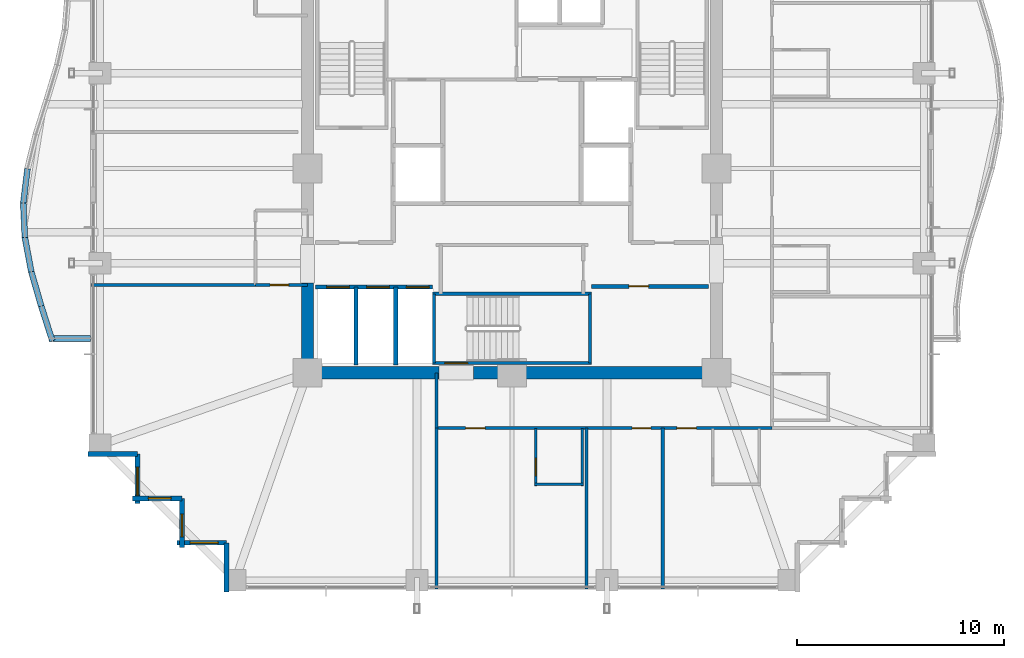
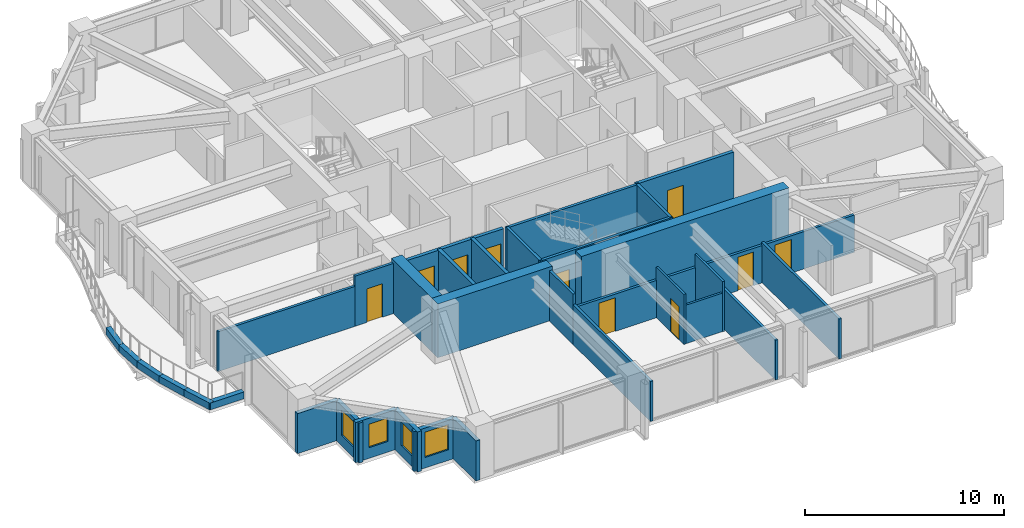
# One storey, part 31 of 37: 33 walls, 10 doors, 4 windows, 14 openings.
"""IFC4 building model written with IfcOpenShell, lengths in metres."""

import ifcopenshell
import ifcopenshell.guid

model = None  # the IFC model being written
_history = None  # IfcOwnerHistory: only IFC2X3 demands one
_inside = {}  # id of a spatial element -> (the spatial element, [elements in it])
_under = {}  # id of a project, library or spatial element -> (it, [spatial elements below it])
_declared = {}  # id of a project -> (the project, [libraries it declares])
_typed = {}  # id of a type object -> (the type object, [elements of that type])
_made_of = {}  # id of a material, layer set ... -> (it, [elements and type objects made of it])


def new_model(schema):
    """Start an empty IFC model of exactly this schema.

    Asked for "IFC4X3", IfcOpenShell would pick the latest addendum, in which some entities
    have other attributes; the version numbers below select the first issue.
    IFC2X3 requires an IfcOwnerHistory on every rooted entity: one is made here for all.
    """
    global model, _history
    if schema == "IFC4X3":
        model = ifcopenshell.file(schema_version=(4, 3, 0, 0))
    else:
        model = ifcopenshell.file(schema=schema)
    _inside.clear()
    _under.clear()
    _declared.clear()
    _typed.clear()
    _made_of.clear()
    _history = None
    if model.schema == "IFC2X3":
        org = make("IfcOrganization", Name="unknown")
        user = make(
            "IfcPersonAndOrganization",
            ThePerson=make("IfcPerson", FamilyName="unknown"),
            TheOrganization=org,
        )
        app = make(
            "IfcApplication",
            ApplicationDeveloper=org,
            Version="unknown",
            ApplicationFullName="unknown",
            ApplicationIdentifier="unknown",
        )
        _history = make(
            "IfcOwnerHistory",
            OwningUser=user,
            OwningApplication=app,
            ChangeAction="ADDED",
            CreationDate=0,
        )
    return model


def make(cls, **values):
    """One entity of the class cls with the attributes given. An attribute that is None is left unset."""
    return model.create_entity(
        cls, **{name: value for name, value in values.items() if value is not None}
    )


def rooted(cls, **values):
    """An entity with a GlobalId (a new one), such as an element, a storey or a relation."""
    return make(cls, GlobalId=ifcopenshell.guid.new(), OwnerHistory=_history, **values)


def si_unit(unit_type, name, prefix=None):
    """IfcSIUnit, for example si_unit("LENGTHUNIT", "METRE", prefix="MILLI")."""
    return make("IfcSIUnit", UnitType=unit_type, Prefix=prefix, Name=name)


def assignment(units):
    """IfcUnitAssignment: the units of a project."""
    return None if units is None else make("IfcUnitAssignment", Units=units)


def point(xyz):
    """IfcCartesianPoint."""
    return None if xyz is None else make("IfcCartesianPoint", Coordinates=xyz)


def direction(xyz):
    """IfcDirection."""
    return None if xyz is None else make("IfcDirection", DirectionRatios=xyz)


def frame(location, z_axis=None, x_axis=None):
    """IfcAxis2Placement3D, a coordinate frame: its origin and axes. An axis left out is left unset."""
    return make(
        "IfcAxis2Placement3D",
        Location=point(location),
        Axis=direction(z_axis),
        RefDirection=direction(x_axis),
    )


def frame_2d(location, x_axis=None):
    """IfcAxis2Placement2D, a coordinate frame in the plane: its origin and x axis."""
    return make(
        "IfcAxis2Placement2D", Location=point(location), RefDirection=direction(x_axis)
    )


def origin():
    """The frame at (0, 0, 0) with its axes left unset."""
    return frame((0.0, 0.0, 0.0))


def place(relative_to, where):
    """IfcLocalPlacement: puts the frame where relative to a parent placement (None: the world)."""
    return make(
        "IfcLocalPlacement", PlacementRelTo=relative_to, RelativePlacement=where
    )


def context(
    kind, dimensions, precision=None, world=None, true_north=None, identifier=None
):
    """IfcGeometricRepresentationContext, for example the 3D "Model" context."""
    return make(
        "IfcGeometricRepresentationContext",
        ContextIdentifier=identifier,
        ContextType=kind,
        CoordinateSpaceDimension=dimensions,
        Precision=precision,
        WorldCoordinateSystem=world,
        TrueNorth=true_north,
    )


def subcontext(parent, identifier, kind, view, scale=None):
    """IfcGeometricRepresentationSubContext, for example "Body" below "Model"."""
    return make(
        "IfcGeometricRepresentationSubContext",
        ContextIdentifier=identifier,
        ContextType=kind,
        ParentContext=parent,
        TargetScale=scale,
        TargetView=view,
    )


def project(units=None, contexts=None):
    """IfcProject with its units and contexts."""
    return rooted(
        "IfcProject",
        Name="project",
        RepresentationContexts=contexts,
        UnitsInContext=assignment(units),
    )


def spatial(cls, under=None, at=None, **own):
    """A site, building, storey or space (cls), placed at a placement, below another one or the project."""
    s = rooted(cls, ObjectPlacement=at, **own)
    if under is not None:
        _under.setdefault(under.id(), (under, []))[1].append(s)
    return s


def profile(cls, at=None, kind="AREA", **sizes):
    """A parametric profile (cls). Its sizes go by their IFC names, for example OverallWidth=200.0."""
    return make(cls, ProfileType=kind, Position=at, **sizes)


def rectangle(**sizes):
    """IfcRectangleProfileDef."""
    return profile("IfcRectangleProfileDef", **sizes)


def extrude(swept, where, along, depth):
    """IfcExtrudedAreaSolid: the profile swept, set in the frame where, extruded along a direction by depth."""
    return make(
        "IfcExtrudedAreaSolid",
        SweptArea=swept,
        Position=where,
        ExtrudedDirection=direction(along),
        Depth=depth,
    )


def shape(context_of_items, identifier, shape_type, items):
    """IfcShapeRepresentation: the items that make up one representation, for example the "Body"."""
    return make(
        "IfcShapeRepresentation",
        ContextOfItems=context_of_items,
        RepresentationIdentifier=identifier,
        RepresentationType=shape_type,
        Items=items,
    )


def material(Name=None, Category=None):
    """IfcMaterial."""
    return make("IfcMaterial", Name=Name, Category=Category)


def layer(
    of_material, thickness, ventilated=None, Name=None, Category=None, Priority=None
):
    """IfcMaterialLayer: one layer of a wall or slab, of a material (None: an air gap)."""
    return make(
        "IfcMaterialLayer",
        Material=of_material,
        LayerThickness=thickness,
        IsVentilated=ventilated,
        Name=Name,
        Category=Category,
        Priority=Priority,
    )


def layer_set(layers, Name=None):
    """IfcMaterialLayerSet."""
    return make("IfcMaterialLayerSet", MaterialLayers=layers, LayerSetName=Name)


def made_of(thing, what):
    """Note that an element or type object is made of a material, layer set ...; save() writes the relation."""
    if what is not None:
        _made_of.setdefault(what.id(), (what, []))[1].append(thing)
    return thing


def type_object(cls, material=None, **own):
    """A type object (cls), such as IfcWallType, which elements share."""
    return made_of(rooted(cls, **own), material)


def element(
    cls,
    number,
    at=None,
    inside=None,
    cuts=None,
    type_object=None,
    material=None,
    context=None,
    identifier="Body",
    shape_type=None,
    held_by="IfcProductDefinitionShape",
    body=None,
    shapes=None,
    **own,
):
    """One element of the class cls, such as IfcWall. Its Tag is "e" and its number.

    at: its placement. inside: the storey or other place that contains it. cuts: it is an
    opening in that element (IfcRelVoidsElement). A single representation is given by context,
    identifier, shape_type and body (its items); several are given by shapes. held_by: the class
    of the entity that holds the representations. save() writes the other relations.
    """
    e = rooted(cls, Tag="e%d" % number, ObjectPlacement=at, **own)
    if body is not None:
        shapes = [shape(context, identifier, shape_type, body)]
    if shapes is not None:
        e.Representation = make(held_by, Representations=shapes)
    if inside is not None:
        _inside.setdefault(inside.id(), (inside, []))[1].append(e)
    if cuts is not None:
        rooted(
            "IfcRelVoidsElement", RelatingBuildingElement=cuts, RelatedOpeningElement=e
        )
    if type_object is not None:
        _typed.setdefault(type_object.id(), (type_object, []))[1].append(e)
    return made_of(e, material)


def fill(opening, filler):
    """IfcRelFillsElement: the door or window that sits in an opening."""
    return rooted(
        "IfcRelFillsElement",
        RelatingOpeningElement=opening,
        RelatedBuildingElement=filler,
    )


def aggregate(whole, parts):
    """IfcRelAggregates: a whole, such as a stair, and the parts it consists of."""
    return rooted("IfcRelAggregates", RelatingObject=whole, RelatedObjects=parts)


def save(model, path):
    """Write the relations noted so far, then the file.

    IfcRelAggregates (storeys below a building ...), IfcRelContainedInSpatialStructure (elements
    in a storey), IfcRelDefinesByType, IfcRelAssociatesMaterial and IfcRelDeclares: one each for
    every whole, place, type object, material and project.
    """
    for whole, parts in _under.values():
        aggregate(whole, parts)
    for where, things in _inside.values():
        rooted(
            "IfcRelContainedInSpatialStructure",
            RelatedElements=things,
            RelatingStructure=where,
        )
    for kind, things in _typed.values():
        rooted("IfcRelDefinesByType", RelatedObjects=things, RelatingType=kind)
    for what, things in _made_of.values():
        rooted("IfcRelAssociatesMaterial", RelatedObjects=things, RelatingMaterial=what)
    for by, libraries in _declared.values():
        rooted("IfcRelDeclares", RelatingContext=by, RelatedDefinitions=libraries)
    model.write(path)


model = new_model("IFC4")

# Units and contexts
model_context = context("Model", 3, precision=1e-05, world=origin(), true_north=direction((0.0, 1.0)))
body_context = subcontext(model_context, "Body", "Model", "MODEL_VIEW")
ifc_project = project(units=[si_unit("LENGTHUNIT", "METRE"), si_unit("AREAUNIT", "SQUARE_METRE"), si_unit("VOLUMEUNIT", "CUBIC_METRE"), si_unit("PLANEANGLEUNIT", "RADIAN"), si_unit("MASSUNIT", "GRAM", prefix="KILO")], contexts=[model_context])

# Site, building, storey
site_placement = place(None, origin())
site = spatial("IfcSite", under=ifc_project, at=site_placement, CompositionType="ELEMENT")
building_placement = place(site_placement, origin())
building = spatial("IfcBuilding", under=site, at=building_placement, Name="Kolvaren Belvedere", CompositionType="ELEMENT")
storey_placement = place(building_placement, frame((0.0, 0.0, 75.5)))
storey = spatial("IfcBuildingStorey", under=building, at=storey_placement, Name="L21", CompositionType="ELEMENT", Elevation=75.5)

# Walls
ifc_material_1 = material(Name="Concrete C60/75", Category="concrete")
ifc_layer_1 = layer(ifc_material_1, 0.60009765625)
ifc_layer_set_1 = layer_set([ifc_layer_1], Name="Concrete C60/75")
wall_type_1 = type_object("IfcWallType", Name="CW-CORE-600", PredefinedType="SHEAR", material=ifc_layer_set_1)
wall_1_placement = place(storey_placement, frame((10.199951171875, -9.89990234375, 0.0), z_axis=(0.0, 0.0, 1.0), x_axis=(-1.0, 0.0, 0.0)))
element("IfcWall", 1, at=wall_1_placement, inside=storey, type_object=wall_type_1, Name="L21 South Core Shear Wall 1", PredefinedType="SHEAR", context=body_context, shape_type="SweptSolid", body=[
    extrude(rectangle(XDim=12.06005859375, YDim=0.60009765625, at=frame_2d((6.030029296875, 0.0))), origin(), (0.0, 0.0, 1.0), 3.300048828125),
])
wall_2_placement = place(storey_placement, frame((-3.5400390625, -9.89990234375, 0.0), z_axis=(0.0, 0.0, 1.0), x_axis=(-1.0, 0.0, 0.0)))
element("IfcWall", 2, at=wall_2_placement, inside=storey, type_object=wall_type_1, Name="L21 South Core Shear Wall 2", PredefinedType="SHEAR", context=body_context, shape_type="SweptSolid", body=[
    extrude(rectangle(XDim=6.659912109375, YDim=0.60009765625, at=frame_2d((3.330078125, 0.0))), origin(), (0.0, 0.0, 1.0), 3.300048828125),
])
wall_3_placement = place(storey_placement, frame((-9.89990234375, -9.60009765625, 0.0), z_axis=(0.0, 0.0, 1.0), x_axis=(0.0, 1.0, 0.0)))
element("IfcWall", 3, at=wall_3_placement, inside=storey, type_object=wall_type_1, Name="L21 West Core Shear Wall 1", PredefinedType="SHEAR", context=body_context, shape_type="SweptSolid", body=[
    extrude(rectangle(XDim=4.050048828125, YDim=0.60009765625, at=frame_2d((2.02490234375, 0.0))), origin(), (0.0, 0.0, 1.0), 3.300048828125),
])

# Wall, opening, door
ifc_material_2 = material(Name="Concrete C50/60", Category="concrete")
ifc_layer_2 = layer(ifc_material_2, 0.159912109375)
ifc_layer_set_2 = layer_set([ifc_layer_2], Name="Concrete C50/60")
wall_type_2 = type_object("IfcWallType", Name="CW-STAIR-160", PredefinedType="SHEAR", material=ifc_layer_set_2)
wall_4_placement = place(storey_placement, frame((3.860107421875, -9.429931640625, 0.0), z_axis=(0.0, 0.0, 1.0), x_axis=(-1.0, 0.0, 0.0)))
wall_4 = element("IfcWall", 4, at=wall_4_placement, inside=storey, type_object=wall_type_2, Name="L21 Stair ST-3 South Shear Wall", PredefinedType="SHEAR", context=body_context, shape_type="SweptSolid", body=[
    extrude(rectangle(XDim=7.72021484375, YDim=0.159912109375, at=frame_2d((3.860107421875, 0.0))), origin(), (0.0, 0.0, 1.0), 3.300048828125),
])
opening_1_placement = place(wall_4_placement, frame((6.010009765625, 0.0, 0.0)))
opening_1 = element("IfcOpeningElement", 5, at=opening_1_placement, cuts=wall_4, Name="Opening D-FD90", PredefinedType="OPENING", context=body_context, shape_type="SweptSolid", body=[
    extrude(rectangle(XDim=1.10009765625, YDim=2.199951171875, at=frame_2d((0.550048828125, 1.10009765625))), frame((0.0, 0.08984375, 0.0), z_axis=(0.0, -1.0, 0.0), x_axis=(1.0, 0.0, 0.0)), (0.0, 0.0, 1.0), 0.179931640625),
])
ifc_material_3 = material(Name="Painted hollow stainless steel", Category="steel")
door_type_1 = type_object("IfcDoorType", Name="DR-FD90-1100", OperationType="NOTDEFINED", PredefinedType="DOOR", material=ifc_material_3)
door_1_placement = place(opening_1_placement, origin())
door_1 = element("IfcDoor", 6, at=door_1_placement, inside=storey, type_object=door_type_1, Name="L21 Stair ST-3 Exit Door", OperationType="SINGLE_SWING_RIGHT", OverallHeight=2.199951171875, OverallWidth=1.10009765625, PredefinedType="DOOR", context=body_context, shape_type="SweptSolid", body=[
    extrude(rectangle(XDim=1.10009765625, YDim=2.199951171875, at=frame_2d((0.550048828125, 1.10009765625))), frame((0.0, 0.02490234375, 0.0), z_axis=(0.0, -1.0, 0.0), x_axis=(1.0, 0.0, 0.0)), (0.0, 0.0, 1.0), 0.050048828125),
])
fill(opening_1, door_1)

# Walls
wall_5_placement = place(storey_placement, frame((-3.860107421875, -6.080078125, 0.0), z_axis=(0.0, 0.0, 1.0), x_axis=(1.0, 0.0, 0.0)))
element("IfcWall", 7, at=wall_5_placement, inside=storey, type_object=wall_type_2, Name="L21 Stair ST-3 North Shear Wall", PredefinedType="SHEAR", context=body_context, shape_type="SweptSolid", body=[
    extrude(rectangle(XDim=7.72021484375, YDim=0.159912109375, at=frame_2d((3.860107421875, 0.0))), origin(), (0.0, 0.0, 1.0), 3.300048828125),
])
for number, where, z_axis, x_axis, name in (
    (8, (-3.780029296875, -9.429931640625, 0.0), (0.0, 0.0, 1.0), (0.0, 1.0, 0.0), "L21 Stair ST-3 West Shear Wall"),
    (9, (3.780029296875, -9.429931640625, 0.0), (0.0, 0.0, 1.0), (0.0, 1.0, 0.0), "L21 Stair ST-3 East Shear Wall"),
):
    element("IfcWall", number, at=place(storey_placement, frame(where, z_axis=z_axis, x_axis=x_axis)), inside=storey, type_object=wall_type_2, Name=name, PredefinedType="SHEAR", context=body_context, shape_type="SweptSolid", body=[
        extrude(rectangle(XDim=3.349853515625, YDim=0.159912109375, at=frame_2d((1.6748046875, 0.0))), origin(), (0.0, 0.0, 1.0), 3.300048828125),
    ])

# Wall, openings, doors
ifc_material_4 = material(Name="Gypsum fire-rated partition assembly", Category="gypsum")
ifc_layer_3 = layer(ifc_material_4, 0.14990234375)
ifc_layer_set_3 = layer_set([ifc_layer_3], Name="Gypsum fire-rated partition assembly")
wall_type_3 = type_object("IfcWallType", Name="WL-CORR-150", PredefinedType="PARTITIONING", material=ifc_layer_set_3)
wall_6_placement = place(storey_placement, frame((-3.64990234375, -12.580078125, 0.0), z_axis=(0.0, 0.0, 1.0), x_axis=(1.0, 0.0, 0.0)))
wall_6 = element("IfcWall", 10, at=wall_6_placement, inside=storey, type_object=wall_type_3, Name="L21 South-East Corridor Wall", PredefinedType="PARTITIONING", context=body_context, shape_type="SweptSolid", body=[
    extrude(rectangle(XDim=16.22998046875, YDim=0.14990234375, at=frame_2d((8.114990234375, 0.0))), origin(), (0.0, 0.0, 1.0), 2.2919921875),
])
opening_2_placement = place(wall_6_placement, frame((1.404541015625, 0.0, 0.0)))
opening_2 = element("IfcOpeningElement", 11, at=opening_2_placement, cuts=wall_6, Name="Opening D-FD60", PredefinedType="OPENING", context=body_context, shape_type="SweptSolid", body=[
    extrude(rectangle(XDim=0.949951171875, YDim=2.06005859375, at=frame_2d((0.47509765625, 1.030029296875))), frame((0.0, 0.0849609375, 0.0), z_axis=(0.0, -1.0, 0.0), x_axis=(1.0, 0.0, 0.0)), (0.0, 0.0, 1.0), 0.169921875),
])
opening_3_placement = place(wall_6_placement, frame((9.469482421875, 0.0, 0.0)))
opening_3 = element("IfcOpeningElement", 12, at=opening_3_placement, cuts=wall_6, Name="Opening D-INT90", PredefinedType="OPENING", context=body_context, shape_type="SweptSolid", body=[
    extrude(rectangle(XDim=0.89990234375, YDim=2.06005859375, at=frame_2d((0.449951171875, 1.030029296875))), frame((0.0, 0.0849609375, 0.0), z_axis=(0.0, -1.0, 0.0), x_axis=(1.0, 0.0, 0.0)), (0.0, 0.0, 1.0), 0.169921875),
])
opening_4_placement = place(wall_6_placement, frame((11.62890625, 0.0, 0.0)))
opening_4 = element("IfcOpeningElement", 13, at=opening_4_placement, cuts=wall_6, Name="Opening D-FD60", PredefinedType="OPENING", context=body_context, shape_type="SweptSolid", body=[
    extrude(rectangle(XDim=0.949951171875, YDim=2.06005859375, at=frame_2d((0.47509765625, 1.030029296875))), frame((0.0, 0.0849609375, 0.0), z_axis=(0.0, -1.0, 0.0), x_axis=(1.0, 0.0, 0.0)), (0.0, 0.0, 1.0), 0.169921875),
])
ifc_material_5 = material(Name="Acoustic white-oak fire door leaf", Category="timber")
door_type_2 = type_object("IfcDoorType", Name="DR-FD60-950", OperationType="NOTDEFINED", PredefinedType="DOOR", material=ifc_material_5)
door_2_placement = place(opening_2_placement, origin())
door_2 = element("IfcDoor", 14, at=door_2_placement, inside=storey, type_object=door_type_2, Name="L21 Botanical Hospitality Suite 2112 Entry Door", OperationType="SINGLE_SWING_LEFT", OverallHeight=2.06005859375, OverallWidth=0.949951171875, PredefinedType="DOOR", context=body_context, shape_type="SweptSolid", body=[
    extrude(rectangle(XDim=0.949951171875, YDim=2.06005859375, at=frame_2d((0.47509765625, 1.030029296875))), frame((0.0, 0.02490234375, 0.0), z_axis=(0.0, -1.0, 0.0), x_axis=(1.0, 0.0, 0.0)), (0.0, 0.0, 1.0), 0.050048828125),
])
fill(opening_2, door_2)
door_3_placement = place(opening_4_placement, origin())
door_3 = element("IfcDoor", 15, at=door_3_placement, inside=storey, type_object=door_type_2, Name="L21 King Guest Room 2114 Entry Door", OperationType="SINGLE_SWING_RIGHT", OverallHeight=2.06005859375, OverallWidth=0.949951171875, PredefinedType="DOOR", context=body_context, shape_type="SweptSolid", body=[
    extrude(rectangle(XDim=0.949951171875, YDim=2.06005859375, at=frame_2d((0.47509765625, 1.030029296875))), frame((0.0, 0.02490234375, 0.0), z_axis=(0.0, -1.0, 0.0), x_axis=(1.0, 0.0, 0.0)), (0.0, 0.0, 1.0), 0.050048828125),
])
fill(opening_4, door_3)
ifc_material_6 = material(Name="Stained Pacific white oak", Category="timber")
door_type_3 = type_object("IfcDoorType", Name="DR-INT-900", OperationType="NOTDEFINED", PredefinedType="DOOR", material=ifc_material_6)
door_4_placement = place(opening_3_placement, origin())
door_4 = element("IfcDoor", 16, at=door_4_placement, inside=storey, type_object=door_type_3, Name="L21 Lounge 2113 Door", OperationType="SINGLE_SWING_RIGHT", OverallHeight=2.06005859375, OverallWidth=0.89990234375, PredefinedType="DOOR", context=body_context, shape_type="SweptSolid", body=[
    extrude(rectangle(XDim=0.89990234375, YDim=2.06005859375, at=frame_2d((0.449951171875, 1.030029296875))), frame((0.0, 0.02490234375, 0.0), z_axis=(0.0, -1.0, 0.0), x_axis=(1.0, 0.0, 0.0)), (0.0, 0.0, 1.0), 0.050048828125),
])
fill(opening_3, door_4)

# Wall
wall_7_placement = place(storey_placement, frame((-3.64990234375, -12.580078125, 0.0), z_axis=(0.0, 0.0, 1.0), x_axis=(0.0, 1.0, 0.0)))
element("IfcWall", 17, at=wall_7_placement, inside=storey, type_object=wall_type_3, Name="L21 South Spur West Closure Wall", PredefinedType="PARTITIONING", context=body_context, shape_type="SweptSolid", body=[
    extrude(rectangle(XDim=2.68017578125, YDim=0.14990234375, at=frame_2d((1.340087890625, 0.0))), origin(), (0.0, 0.0, 1.0), 3.080078125),
])

# Wall, opening, door
wall_8_placement = place(storey_placement, frame((-12.419921875, -5.64990234375, 0.0), z_axis=(0.0, 0.0, 1.0), x_axis=(1.0, 0.0, 0.0)))
wall_8 = element("IfcWall", 18, at=wall_8_placement, inside=storey, type_object=wall_type_3, Name="L21 West Pocket South Closure Wall", PredefinedType="PARTITIONING", context=body_context, shape_type="SweptSolid", body=[
    extrude(rectangle(XDim=2.52001953125, YDim=0.14990234375, at=frame_2d((1.260009765625, 0.0))), origin(), (0.0, 0.0, 1.0), 3.080078125),
])
opening_5_placement = place(wall_8_placement, frame((0.705078125, 0.0, 0.0)))
opening_5 = element("IfcOpeningElement", 19, at=opening_5_placement, cuts=wall_8, Name="Opening D-INT90", PredefinedType="OPENING", context=body_context, shape_type="SweptSolid", body=[
    extrude(rectangle(XDim=0.89990234375, YDim=2.06005859375, at=frame_2d((0.449951171875, 1.030029296875))), frame((0.0, 0.0849609375, 0.0), z_axis=(0.0, -1.0, 0.0), x_axis=(1.0, 0.0, 0.0)), (0.0, 0.0, 1.0), 0.169921875),
])
door_5_placement = place(opening_5_placement, origin())
door_5 = element("IfcDoor", 20, at=door_5_placement, inside=storey, type_object=door_type_3, Name="L21 Lounge 2111 Door", OperationType="SINGLE_SWING_LEFT", OverallHeight=2.06005859375, OverallWidth=0.89990234375, PredefinedType="DOOR", context=body_context, shape_type="SweptSolid", body=[
    extrude(rectangle(XDim=0.89990234375, YDim=2.06005859375, at=frame_2d((0.449951171875, 1.030029296875))), frame((0.0, 0.02490234375, 0.0), z_axis=(0.0, -1.0, 0.0), x_axis=(1.0, 0.0, 0.0)), (0.0, 0.0, 1.0), 0.050048828125),
])
fill(opening_5, door_5)

# Wall
ifc_material_7 = material(Name="Insulated pale-metal facade wall assembly", Category="aluminium")
ifc_layer_4 = layer(ifc_material_7, 0.239990234375)
ifc_layer_set_4 = layer_set([ifc_layer_4], Name="Insulated pale-metal facade wall assembly")
wall_type_4 = type_object("IfcWallType", Name="WL-EXT-240", PredefinedType="STANDARD", material=ifc_layer_set_4)
wall_9_placement = place(storey_placement, frame((-18.1298828125, -13.830078125, 0.0), z_axis=(0.0, 0.0, 1.0), x_axis=(-1.0, 0.0, 0.0)))
element("IfcWall", 21, at=wall_9_placement, inside=storey, type_object=wall_type_4, Name="L21 Serrated Corner Facade Wall 23", PredefinedType="STANDARD", context=body_context, shape_type="SweptSolid", body=[
    extrude(rectangle(XDim=2.39013671875, YDim=0.239990234375, at=frame_2d((1.195068359375, 0.0))), origin(), (0.0, 0.0, 1.0), 2.458984375),
])

# Wall, opening, window
wall_10_placement = place(storey_placement, frame((-18.1298828125, -16.219970703125, 0.0), z_axis=(0.0, 0.0, 1.0), x_axis=(0.0, 1.0, 0.0)))
wall_10 = element("IfcWall", 22, at=wall_10_placement, inside=storey, type_object=wall_type_4, Name="L21 Serrated Corner Facade Wall 24", PredefinedType="STANDARD", context=body_context, shape_type="SweptSolid", body=[
    extrude(rectangle(XDim=2.389892578125, YDim=0.239990234375, at=frame_2d((1.19482421875, 0.0))), origin(), (0.0, 0.0, 1.0), 2.458984375),
])
opening_6_placement = place(wall_10_placement, frame((0.39990234375, 0.0, 0.64990234375)))
opening_6 = element("IfcOpeningElement", 23, at=opening_6_placement, cuts=wall_10, Name="Opening W-1350", PredefinedType="OPENING", context=body_context, shape_type="SweptSolid", body=[
    extrude(rectangle(XDim=1.35009765625, YDim=1.550048828125, at=frame_2d((0.675048828125, 0.77490234375))), frame((0.0, 0.1298828125, 0.0), z_axis=(0.0, -1.0, 0.0), x_axis=(1.0, 0.0, 0.0)), (0.0, 0.0, 1.0), 0.260009765625),
])
ifc_material_8 = material(Name="Low-iron triple insulated glass", Category="glass")
window_type_1 = type_object("IfcWindowType", Name="WN-CORN-1350", PartitioningType="SINGLE_PANEL", PredefinedType="WINDOW", material=ifc_material_8)
window_1_placement = place(opening_6_placement, origin())
window_1 = element("IfcWindow", 24, at=window_1_placement, inside=storey, type_object=window_type_1, Name="L21 Serrated Corner Vision Window 24", OverallHeight=1.550048828125, OverallWidth=1.35009765625, PartitioningType="SINGLE_PANEL", PredefinedType="WINDOW", context=body_context, shape_type="SweptSolid", body=[
    extrude(rectangle(XDim=1.35009765625, YDim=1.550048828125, at=frame_2d((0.675048828125, 0.77490234375))), frame((0.0, 0.030029296875, 0.0), z_axis=(0.0, -1.0, 0.0), x_axis=(1.0, 0.0, 0.0)), (0.0, 0.0, 1.0), 0.06005859375),
])
fill(opening_6, window_1)

wall_11_placement = place(storey_placement, frame((-15.97998046875, -15.97998046875, 0.0), z_axis=(0.0, 0.0, 1.0), x_axis=(-1.0, 0.0, 0.0)))
wall_11 = element("IfcWall", 25, at=wall_11_placement, inside=storey, type_object=wall_type_4, Name="L21 Serrated Corner Facade Wall 25", PredefinedType="STANDARD", context=body_context, shape_type="SweptSolid", body=[
    extrude(rectangle(XDim=2.39013671875, YDim=0.239990234375, at=frame_2d((1.195068359375, 0.0))), origin(), (0.0, 0.0, 1.0), 2.458984375),
])
opening_7_placement = place(wall_11_placement, frame((0.52490234375, 0.0, 0.64990234375)))
opening_7 = element("IfcOpeningElement", 26, at=opening_7_placement, cuts=wall_11, Name="Opening W-1100", PredefinedType="OPENING", context=body_context, shape_type="SweptSolid", body=[
    extrude(rectangle(XDim=1.10009765625, YDim=1.449951171875, at=frame_2d((0.550048828125, 0.72509765625))), frame((0.0, 0.1298828125, 0.0), z_axis=(0.0, -1.0, 0.0), x_axis=(1.0, 0.0, 0.0)), (0.0, 0.0, 1.0), 0.260009765625),
])
ifc_material_9 = material(Name="Low-iron triple insulated glass", Category="glass")
window_type_2 = type_object("IfcWindowType", Name="WN-CORN-1100", PartitioningType="SINGLE_PANEL", PredefinedType="WINDOW", material=ifc_material_9)
window_2_placement = place(opening_7_placement, origin())
window_2 = element("IfcWindow", 27, at=window_2_placement, inside=storey, type_object=window_type_2, Name="L21 Serrated Corner Vision Window 25", OverallHeight=1.449951171875, OverallWidth=1.10009765625, PartitioningType="SINGLE_PANEL", PredefinedType="WINDOW", context=body_context, shape_type="SweptSolid", body=[
    extrude(rectangle(XDim=1.10009765625, YDim=1.449951171875, at=frame_2d((0.550048828125, 0.72509765625))), frame((0.0, 0.030029296875, 0.0), z_axis=(0.0, -1.0, 0.0), x_axis=(1.0, 0.0, 0.0)), (0.0, 0.0, 1.0), 0.06005859375),
])
fill(opening_7, window_2)

wall_12_placement = place(storey_placement, frame((-15.97998046875, -18.3701171875, 0.0), z_axis=(0.0, 0.0, 1.0), x_axis=(0.0, 1.0, 0.0)))
wall_12 = element("IfcWall", 28, at=wall_12_placement, inside=storey, type_object=wall_type_4, Name="L21 Serrated Corner Facade Wall 26", PredefinedType="STANDARD", context=body_context, shape_type="SweptSolid", body=[
    extrude(rectangle(XDim=2.39013671875, YDim=0.239990234375, at=frame_2d((1.195068359375, 0.0))), origin(), (0.0, 0.0, 1.0), 2.458984375),
])
opening_8_placement = place(wall_12_placement, frame((0.52490234375, 0.0, 0.64990234375)))
opening_8 = element("IfcOpeningElement", 29, at=opening_8_placement, cuts=wall_12, Name="Opening W-1100", PredefinedType="OPENING", context=body_context, shape_type="SweptSolid", body=[
    extrude(rectangle(XDim=1.10009765625, YDim=1.449951171875, at=frame_2d((0.550048828125, 0.72509765625))), frame((0.0, 0.1298828125, 0.0), z_axis=(0.0, -1.0, 0.0), x_axis=(1.0, 0.0, 0.0)), (0.0, 0.0, 1.0), 0.260009765625),
])
window_3_placement = place(opening_8_placement, origin())
window_3 = element("IfcWindow", 30, at=window_3_placement, inside=storey, type_object=window_type_2, Name="L21 Serrated Corner Vision Window 26", OverallHeight=1.449951171875, OverallWidth=1.10009765625, PartitioningType="SINGLE_PANEL", PredefinedType="WINDOW", context=body_context, shape_type="SweptSolid", body=[
    extrude(rectangle(XDim=1.10009765625, YDim=1.449951171875, at=frame_2d((0.550048828125, 0.72509765625))), frame((0.0, 0.030029296875, 0.0), z_axis=(0.0, -1.0, 0.0), x_axis=(1.0, 0.0, 0.0)), (0.0, 0.0, 1.0), 0.06005859375),
])
fill(opening_8, window_3)

wall_13_placement = place(storey_placement, frame((-13.830078125, -18.1298828125, 0.0), z_axis=(0.0, 0.0, 1.0), x_axis=(-1.0, 0.0, 0.0)))
wall_13 = element("IfcWall", 31, at=wall_13_placement, inside=storey, type_object=wall_type_4, Name="L21 Serrated Corner Facade Wall 27", PredefinedType="STANDARD", context=body_context, shape_type="SweptSolid", body=[
    extrude(rectangle(XDim=2.389892578125, YDim=0.239990234375, at=frame_2d((1.19482421875, 0.0))), origin(), (0.0, 0.0, 1.0), 2.458984375),
])
opening_9_placement = place(wall_13_placement, frame((0.39990234375, 0.0, 0.64990234375)))
opening_9 = element("IfcOpeningElement", 32, at=opening_9_placement, cuts=wall_13, Name="Opening W-1350", PredefinedType="OPENING", context=body_context, shape_type="SweptSolid", body=[
    extrude(rectangle(XDim=1.35009765625, YDim=1.550048828125, at=frame_2d((0.675048828125, 0.77490234375))), frame((0.0, 0.1298828125, 0.0), z_axis=(0.0, -1.0, 0.0), x_axis=(1.0, 0.0, 0.0)), (0.0, 0.0, 1.0), 0.260009765625),
])
window_4_placement = place(opening_9_placement, origin())
window_4 = element("IfcWindow", 33, at=window_4_placement, inside=storey, type_object=window_type_1, Name="L21 Serrated Corner Vision Window 27", OverallHeight=1.550048828125, OverallWidth=1.35009765625, PartitioningType="SINGLE_PANEL", PredefinedType="WINDOW", context=body_context, shape_type="SweptSolid", body=[
    extrude(rectangle(XDim=1.35009765625, YDim=1.550048828125, at=frame_2d((0.675048828125, 0.77490234375))), frame((0.0, 0.030029296875, 0.0), z_axis=(0.0, -1.0, 0.0), x_axis=(1.0, 0.0, 0.0)), (0.0, 0.0, 1.0), 0.06005859375),
])
fill(opening_9, window_4)

# Walls
wall_14_placement = place(storey_placement, frame((-13.830078125, -20.52001953125, 0.0), z_axis=(0.0, 0.0, 1.0), x_axis=(0.0, 1.0, 0.0)))
element("IfcWall", 34, at=wall_14_placement, inside=storey, type_object=wall_type_4, Name="L21 Serrated Corner Facade Wall 28", PredefinedType="STANDARD", context=body_context, shape_type="SweptSolid", body=[
    extrude(rectangle(XDim=2.39013671875, YDim=0.239990234375, at=frame_2d((1.195068359375, 0.0))), origin(), (0.0, 0.0, 1.0), 2.458984375),
])
ifc_material_10 = material(Name="Gypsum acoustic partition assembly", Category="gypsum")
ifc_layer_5 = layer(ifc_material_10, 0.14990234375)
ifc_layer_set_5 = layer_set([ifc_layer_5], Name="Gypsum acoustic partition assembly")
wall_type_5 = type_object("IfcWallType", Name="WL-PART-150", PredefinedType="PARTITIONING", material=ifc_layer_set_5)
wall_15_placement = place(storey_placement, frame((-20.3798828125, -5.64990234375, 0.0), z_axis=(0.0, 0.0, 1.0), x_axis=(1.0, 0.0, 0.0)))
element("IfcWall", 35, at=wall_15_placement, inside=storey, type_object=wall_type_5, Name="L21 West Mid Suite South Wall", PredefinedType="PARTITIONING", context=body_context, shape_type="SweptSolid", body=[
    extrude(rectangle(XDim=7.9599609375, YDim=0.14990234375, at=frame_2d((3.97998046875, 0.0))), origin(), (0.0, 0.0, 1.0), 2.448974609375),
])
for number, where, z_axis, x_axis, name in (
    (36, (-3.64990234375, -20.3798828125, 0.0), (0.0, 0.0, 1.0), (0.0, 1.0, 0.0), "L21 South Mid-West Wall"),
    (37, (3.60009765625, -20.3798828125, 0.0), (0.0, 0.0, 1.0), (0.0, 1.0, 0.0), "L21 South-East Suite Divider 1"),
    (38, (7.300048828125, -20.3798828125, 0.0), (0.0, 0.0, 1.0), (0.0, 1.0, 0.0), "L21 South-East Suite Divider 2"),
):
    element("IfcWall", number, at=place(storey_placement, frame(where, z_axis=z_axis, x_axis=x_axis)), inside=storey, type_object=wall_type_5, Name=name, PredefinedType="PARTITIONING", context=body_context, shape_type="SweptSolid", body=[
        extrude(rectangle(XDim=7.7998046875, YDim=0.14990234375, at=frame_2d((3.89990234375, 0.0))), origin(), (0.0, 0.0, 1.0), 2.448974609375),
    ])
ifc_material_11 = material(Name="Precast concrete C40/50", Category="concrete")
ifc_layer_6 = layer(ifc_material_11, 0.300048828125)
ifc_layer_set_6 = layer_set([ifc_layer_6], Name="Precast concrete C40/50")
wall_type_6 = type_object("IfcWallType", Name="WL-PLANTER-300", PredefinedType="PARAPET", material=ifc_layer_set_6)
wall_16_placement = place(storey_placement, frame((-23.454833984375, -0.01953125, -0.0400390625), z_axis=(0.0, 0.0, 1.0), x_axis=(-0.121886315522, -0.99254406758, 0.0)))
element("IfcWall", 39, at=wall_16_placement, inside=storey, type_object=wall_type_6, Name="L21 Precast Structural Planter Wall BAL-W-6", PredefinedType="PARAPET", context=body_context, shape_type="SweptSolid", body=[
    extrude(rectangle(XDim=1.692626953125, YDim=0.280029296875, at=frame_2d((0.84619140625, 0.0))), origin(), (0.0, 0.0, 1.0), 0.419921875),
])
wall_17_placement = place(storey_placement, frame((-23.66015625, -1.6728515625, -0.0400390625), z_axis=(0.0, 0.0, 1.0), x_axis=(0.045005941428, -0.998986719249, 0.0)))
element("IfcWall", 40, at=wall_17_placement, inside=storey, type_object=wall_type_6, Name="L21 Precast Structural Planter Wall BAL-W-7", PredefinedType="PARAPET", context=body_context, shape_type="SweptSolid", body=[
    extrude(rectangle(XDim=1.681640625, YDim=0.280029296875, at=frame_2d((0.8408203125, 0.0))), origin(), (0.0, 0.0, 1.0), 0.419921875),
])
wall_18_placement = place(storey_placement, frame((-23.5869140625, -3.330322265625, -0.0400390625), z_axis=(0.0, 0.0, 1.0), x_axis=(0.184650661912, -0.982804219087, 0.0)))
element("IfcWall", 41, at=wall_18_placement, inside=storey, type_object=wall_type_6, Name="L21 Precast Structural Planter Wall BAL-W-8", PredefinedType="PARAPET", context=body_context, shape_type="SweptSolid", body=[
    extrude(rectangle(XDim=1.70947265625, YDim=0.280029296875, at=frame_2d((0.854736328125, 0.0))), origin(), (0.0, 0.0, 1.0), 0.419921875),
])
wall_19_placement = place(storey_placement, frame((-23.274658203125, -4.99560546875, -0.0400390625), z_axis=(0.0, 0.0, 1.0), x_axis=(0.277817391164, -0.960633903819, 0.0)))
element("IfcWall", 42, at=wall_19_placement, inside=storey, type_object=wall_type_6, Name="L21 Precast Structural Planter Wall BAL-W-9", PredefinedType="PARAPET", context=body_context, shape_type="SweptSolid", body=[
    extrude(rectangle(XDim=1.748779296875, YDim=0.280029296875, at=frame_2d((0.87451171875, 0.0))), origin(), (0.0, 0.0, 1.0), 0.419921875),
])
wall_20_placement = place(storey_placement, frame((-22.7900390625, -6.67138671875, -0.0400390625), z_axis=(0.0, 0.0, 1.0), x_axis=(0.304032153573, -0.952661770826, 0.0)))
element("IfcWall", 43, at=wall_20_placement, inside=storey, type_object=wall_type_6, Name="L21 Precast Structural Planter Wall BAL-W-10", PredefinedType="PARAPET", context=body_context, shape_type="SweptSolid", body=[
    extrude(rectangle(XDim=1.763427734375, YDim=0.280029296875, at=frame_2d((0.8818359375, 0.0))), origin(), (0.0, 0.0, 1.0), 0.419921875),
])
wall_21_placement = place(storey_placement, frame((-22.40625, -8.239990234375, -0.0400390625), z_axis=(0.0, 0.0, 1.0), x_axis=(1.0, 0.0, 0.0)))
element("IfcWall", 44, at=wall_21_placement, inside=storey, type_object=wall_type_6, Name="L21 Precast Structural Planter Wall BAL-W-11", PredefinedType="PARAPET", context=body_context, shape_type="SweptSolid", body=[
    extrude(rectangle(XDim=2.00634765625, YDim=0.280029296875, at=frame_2d((1.003173828125, 0.0))), origin(), (0.0, 0.0, 1.0), 0.419921875),
])

# Wall, openings, doors
ifc_material_12 = material(Name="Concrete C50/60", Category="concrete")
ifc_layer_7 = layer(ifc_material_12, 0.199951171875)
ifc_layer_set_7 = layer_set([ifc_layer_7], Name="Concrete C50/60")
wall_type_7 = type_object("IfcWallType", Name="WL-SHAFT-200", PredefinedType="SOLIDWALL", material=ifc_layer_set_7)
wall_22_placement = place(storey_placement, frame((-9.52001953125, -5.75, 0.0), z_axis=(0.0, 0.0, 1.0), x_axis=(1.0, 0.0, 0.0)))
wall_22 = element("IfcWall", 45, at=wall_22_placement, inside=storey, type_object=wall_type_7, Name="L21 Mid-Rise Lift Bank Front Wall", PredefinedType="SOLIDWALL", context=body_context, shape_type="SweptSolid", body=[
    extrude(rectangle(XDim=5.659912109375, YDim=0.199951171875, at=frame_2d((2.830078125, 0.0))), origin(), (0.0, 0.0, 1.0), 3.080078125),
])
opening_10_placement = place(wall_22_placement, frame((0.550048828125, 0.0, 0.0)))
opening_10 = element("IfcOpeningElement", 46, at=opening_10_placement, cuts=wall_22, Name="Opening LD-11", PredefinedType="OPENING", context=body_context, shape_type="SweptSolid", body=[
    extrude(rectangle(XDim=1.10009765625, YDim=2.199951171875, at=frame_2d((0.550048828125, 1.10009765625))), frame((0.0, 0.10986328125, 0.0), z_axis=(0.0, -1.0, 0.0), x_axis=(1.0, 0.0, 0.0)), (0.0, 0.0, 1.0), 0.219970703125),
])
opening_11_placement = place(wall_22_placement, frame((2.47998046875, 0.0, 0.0)))
opening_11 = element("IfcOpeningElement", 47, at=opening_11_placement, cuts=wall_22, Name="Opening LD-11", PredefinedType="OPENING", context=body_context, shape_type="SweptSolid", body=[
    extrude(rectangle(XDim=1.10009765625, YDim=2.199951171875, at=frame_2d((0.550048828125, 1.10009765625))), frame((0.0, 0.10986328125, 0.0), z_axis=(0.0, -1.0, 0.0), x_axis=(1.0, 0.0, 0.0)), (0.0, 0.0, 1.0), 0.219970703125),
])
opening_12_placement = place(wall_22_placement, frame((4.409912109375, 0.0, 0.0)))
opening_12 = element("IfcOpeningElement", 48, at=opening_12_placement, cuts=wall_22, Name="Opening LD-11", PredefinedType="OPENING", context=body_context, shape_type="SweptSolid", body=[
    extrude(rectangle(XDim=1.10009765625, YDim=2.199951171875, at=frame_2d((0.550048828125, 1.10009765625))), frame((0.0, 0.10986328125, 0.0), z_axis=(0.0, -1.0, 0.0), x_axis=(1.0, 0.0, 0.0)), (0.0, 0.0, 1.0), 0.219970703125),
])
ifc_material_13 = material(Name="Brushed stainless steel", Category="steel")
door_type_4 = type_object("IfcDoorType", Name="DR-LIFT-1100", OperationType="DOUBLE_DOOR_SLIDING", PredefinedType="DOOR", material=ifc_material_13)
door_6_placement = place(opening_10_placement, origin())
door_6 = element("IfcDoor", 49, at=door_6_placement, inside=storey, type_object=door_type_4, Name="L21 Passenger Lift P4 Landing Door", OperationType="DOUBLE_DOOR_SLIDING", OverallHeight=2.199951171875, OverallWidth=1.10009765625, PredefinedType="DOOR", context=body_context, shape_type="SweptSolid", body=[
    extrude(rectangle(XDim=1.10009765625, YDim=2.199951171875, at=frame_2d((0.550048828125, 1.10009765625))), frame((0.0, 0.02490234375, 0.0), z_axis=(0.0, -1.0, 0.0), x_axis=(1.0, 0.0, 0.0)), (0.0, 0.0, 1.0), 0.050048828125),
])
fill(opening_10, door_6)
door_7_placement = place(opening_11_placement, origin())
door_7 = element("IfcDoor", 50, at=door_7_placement, inside=storey, type_object=door_type_4, Name="L21 Passenger Lift P5 Landing Door", OperationType="DOUBLE_DOOR_SLIDING", OverallHeight=2.199951171875, OverallWidth=1.10009765625, PredefinedType="DOOR", context=body_context, shape_type="SweptSolid", body=[
    extrude(rectangle(XDim=1.10009765625, YDim=2.199951171875, at=frame_2d((0.550048828125, 1.10009765625))), frame((0.0, 0.02490234375, 0.0), z_axis=(0.0, -1.0, 0.0), x_axis=(1.0, 0.0, 0.0)), (0.0, 0.0, 1.0), 0.050048828125),
])
fill(opening_11, door_7)
door_8_placement = place(opening_12_placement, origin())
door_8 = element("IfcDoor", 51, at=door_8_placement, inside=storey, type_object=door_type_4, Name="L21 Passenger Lift P6 Landing Door", OperationType="DOUBLE_DOOR_SLIDING", OverallHeight=2.199951171875, OverallWidth=1.10009765625, PredefinedType="DOOR", context=body_context, shape_type="SweptSolid", body=[
    extrude(rectangle(XDim=1.10009765625, YDim=2.199951171875, at=frame_2d((0.550048828125, 1.10009765625))), frame((0.0, 0.02490234375, 0.0), z_axis=(0.0, -1.0, 0.0), x_axis=(1.0, 0.0, 0.0)), (0.0, 0.0, 1.0), 0.050048828125),
])
fill(opening_12, door_8)

# Walls
for number, where, z_axis, x_axis, name in (
    (52, (-7.56005859375, -9.52001953125, 0.0), (0.0, 0.0, 1.0), (0.0, 1.0, 0.0), "L21 Mid-Rise Hoistway Divider 1"),
    (53, (-5.6298828125, -9.52001953125, 0.0), (0.0, 0.0, 1.0), (0.0, 1.0, 0.0), "L21 Mid-Rise Hoistway Divider 2"),
):
    element("IfcWall", number, at=place(storey_placement, frame(where, z_axis=z_axis, x_axis=x_axis)), inside=storey, type_object=wall_type_7, Name=name, PredefinedType="SOLIDWALL", context=body_context, shape_type="SweptSolid", body=[
        extrude(rectangle(XDim=3.77001953125, YDim=0.199951171875, at=frame_2d((1.885009765625, 0.0))), origin(), (0.0, 0.0, 1.0), 3.080078125),
    ])

# Wall, opening, door
wall_23_placement = place(storey_placement, frame((3.860107421875, -5.719970703125, 0.0), z_axis=(0.0, 0.0, 1.0), x_axis=(1.0, 0.0, 0.0)))
wall_23 = element("IfcWall", 54, at=wall_23_placement, inside=storey, type_object=wall_type_7, Name="L21 SE Core Distribution Wall", PredefinedType="SOLIDWALL", context=body_context, shape_type="SweptSolid", body=[
    extrude(rectangle(XDim=5.659912109375, YDim=0.199951171875, at=frame_2d((2.830078125, 0.0))), origin(), (0.0, 0.0, 1.0), 3.080078125),
])
opening_13_placement = place(wall_23_placement, frame((1.800048828125, 0.0, 0.0)))
opening_13 = element("IfcOpeningElement", 55, at=opening_13_placement, cuts=wall_23, Name="Opening D-FD60", PredefinedType="OPENING", context=body_context, shape_type="SweptSolid", body=[
    extrude(rectangle(XDim=0.949951171875, YDim=2.06005859375, at=frame_2d((0.47509765625, 1.030029296875))), frame((0.0, 0.10986328125, 0.0), z_axis=(0.0, -1.0, 0.0), x_axis=(1.0, 0.0, 0.0)), (0.0, 0.0, 1.0), 0.219970703125),
])
door_9_placement = place(opening_13_placement, origin())
door_9 = element("IfcDoor", 56, at=door_9_placement, inside=storey, type_object=door_type_2, Name="L21 Core Electrical & BMS Room Door", OperationType="SINGLE_SWING_RIGHT", OverallHeight=2.06005859375, OverallWidth=0.949951171875, PredefinedType="DOOR", context=body_context, shape_type="SweptSolid", body=[
    extrude(rectangle(XDim=0.949951171875, YDim=2.06005859375, at=frame_2d((0.47509765625, 1.030029296875))), frame((0.0, 0.02490234375, 0.0), z_axis=(0.0, -1.0, 0.0), x_axis=(1.0, 0.0, 0.0)), (0.0, 0.0, 1.0), 0.050048828125),
])
fill(opening_13, door_9)

ifc_material_14 = material(Name="Moisture-resistant gypsum partition", Category="gypsum")
ifc_layer_8 = layer(ifc_material_14, 0.125)
ifc_layer_set_8 = layer_set([ifc_layer_8], Name="Moisture-resistant gypsum partition")
wall_type_8 = type_object("IfcWallType", Name="WL-WET-125", PredefinedType="PARTITIONING", material=ifc_layer_set_8)
wall_24_placement = place(storey_placement, frame((1.155029296875, -15.385009765625, 0.0), z_axis=(0.0, 0.0, 1.0), x_axis=(0.0, 1.0, 0.0)))
wall_24 = element("IfcWall", 57, at=wall_24_placement, inside=storey, type_object=wall_type_8, Name="L21 Bathroom Partition PW-L21-BTH-12-E", PredefinedType="PARTITIONING", context=body_context, shape_type="SweptSolid", body=[
    extrude(rectangle(XDim=2.7900390625, YDim=0.125, at=frame_2d((1.39501953125, 0.0))), origin(), (0.0, 0.0, 1.0), 3.080078125),
])
opening_14_placement = place(wall_24_placement, frame((0.5, 0.0, 0.0)))
opening_14 = element("IfcOpeningElement", 58, at=opening_14_placement, cuts=wall_24, Name="Opening D-BTH85", PredefinedType="OPENING", context=body_context, shape_type="SweptSolid", body=[
    extrude(rectangle(XDim=0.85009765625, YDim=2.030029296875, at=frame_2d((0.425048828125, 1.01513671875))), frame((0.0, 0.072509765625, 0.0), z_axis=(0.0, -1.0, 0.0), x_axis=(1.0, 0.0, 0.0)), (0.0, 0.0, 1.0), 0.14501953125),
])
ifc_material_15 = material(Name="Moisture-sealed Pacific white oak", Category="timber")
door_type_5 = type_object("IfcDoorType", Name="DR-BATH-850", OperationType="NOTDEFINED", PredefinedType="DOOR", material=ifc_material_15)
door_10_placement = place(opening_14_placement, origin())
door_10 = element("IfcDoor", 59, at=door_10_placement, inside=storey, type_object=door_type_5, Name="L21 En-Suite Bathroom 2112 Door", OperationType="SINGLE_SWING_RIGHT", OverallHeight=2.030029296875, OverallWidth=0.85009765625, PredefinedType="DOOR", context=body_context, shape_type="SweptSolid", body=[
    extrude(rectangle(XDim=0.85009765625, YDim=2.030029296875, at=frame_2d((0.425048828125, 1.01513671875))), frame((0.0, 0.02490234375, 0.0), z_axis=(0.0, -1.0, 0.0), x_axis=(1.0, 0.0, 0.0)), (0.0, 0.0, 1.0), 0.050048828125),
])
fill(opening_14, door_10)

# Walls
wall_25_placement = place(storey_placement, frame((1.094970703125, -15.304931640625, 0.0), z_axis=(0.0, 0.0, 1.0), x_axis=(1.0, 0.0, 0.0)))
element("IfcWall", 60, at=wall_25_placement, inside=storey, type_object=wall_type_8, Name="L21 Bathroom Partition PW-L21-BTH-12-H", PredefinedType="PARTITIONING", context=body_context, shape_type="SweptSolid", body=[
    extrude(rectangle(XDim=2.3701171875, YDim=0.125, at=frame_2d((1.18505859375, 0.0))), origin(), (0.0, 0.0, 1.0), 2.368896484375),
])
wall_26_placement = place(storey_placement, frame((3.405029296875, -15.385009765625, 0.0), z_axis=(0.0, 0.0, 1.0), x_axis=(0.0, 1.0, 0.0)))
element("IfcWall", 61, at=wall_26_placement, inside=storey, type_object=wall_type_8, Name="L21 Bathroom Partition PW-L21-BTH-12-W", PredefinedType="PARTITIONING", context=body_context, shape_type="SweptSolid", body=[
    extrude(rectangle(XDim=2.7900390625, YDim=0.125, at=frame_2d((1.39501953125, 0.0))), origin(), (0.0, 0.0, 1.0), 3.080078125),
])

save(model, "model.ifc")
